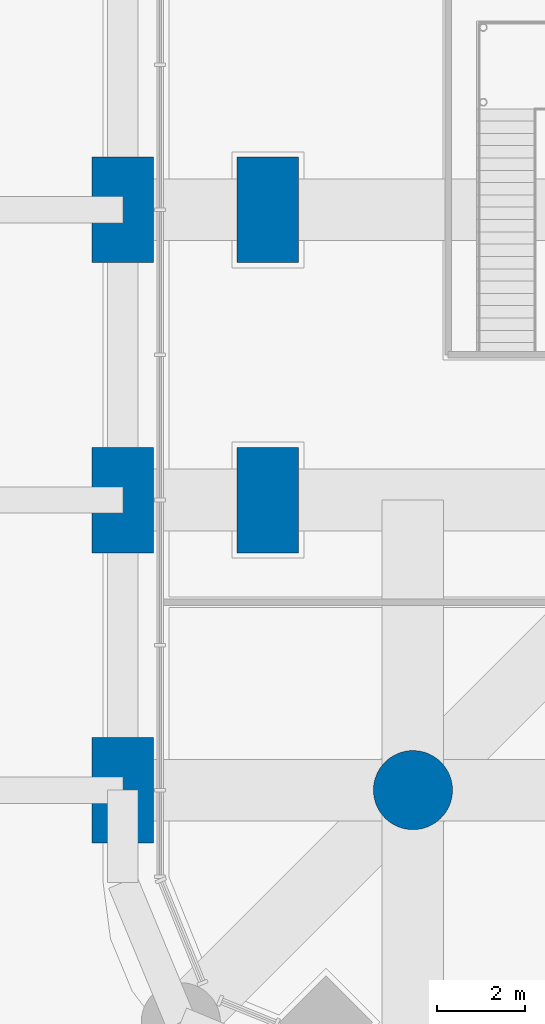
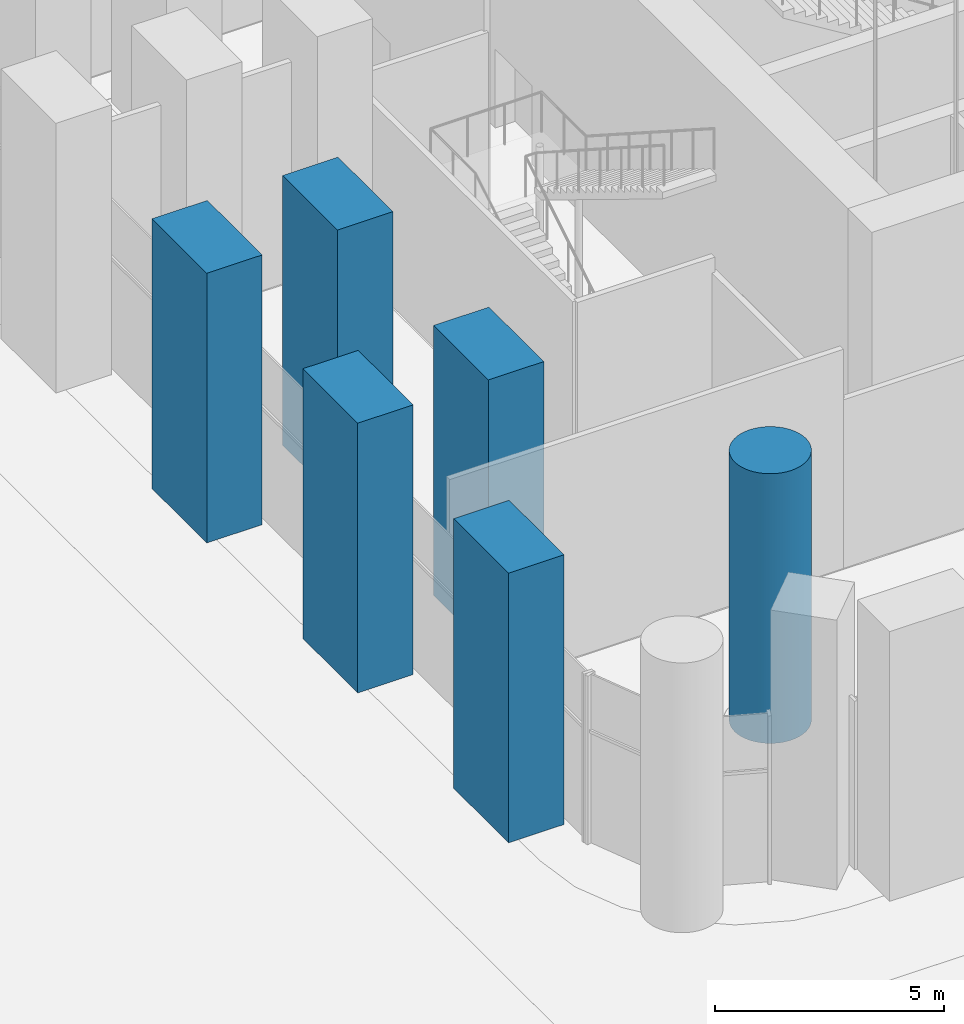
# One storey, part 3 of 32: 6 columns.
"""IFC4 building model written with IfcOpenShell, lengths in metres."""

from ifc_helpers import new_model, si_unit, direction, frame, origin, origin_2d, place, context, subcontext, project, spatial, rectangle, circle, extrude, material, material_profile, profile_set, type_object, element, save


model = new_model("IFC4")

# Units and contexts
model_context = context("Model", 3, precision=1e-05, world=origin(), true_north=direction((0.0, 1.0)))
body_context = subcontext(model_context, "Body", "Model", "MODEL_VIEW")
ifc_project = project(units=[si_unit("LENGTHUNIT", "METRE"), si_unit("AREAUNIT", "SQUARE_METRE"), si_unit("VOLUMEUNIT", "CUBIC_METRE"), si_unit("PLANEANGLEUNIT", "RADIAN"), si_unit("MASSUNIT", "GRAM", prefix="KILO")], contexts=[model_context])

# Site, building, storey
site_placement = place(None, origin())
site = spatial("IfcSite", under=ifc_project, at=site_placement, CompositionType="ELEMENT")
building_placement = place(site_placement, origin())
building = spatial("IfcBuilding", under=site, at=building_placement, Name="Cobogo Forest Laboratory Tower", CompositionType="ELEMENT")
storey_placement = place(building_placement, origin())
storey = spatial("IfcBuildingStorey", under=building, at=storey_placement, Name="L00", CompositionType="ELEMENT", Elevation=0.0)

# Columns
ifc_material = material(Name="Concrete HA-50 (C50/60)", Category="concrete")
ifc_material_profile_1 = material_profile(ifc_material, rectangle(XDim=2.39990234375, YDim=1.39990234375, at=origin_2d()), Name="RC 1400x2400")
ifc_profile_set_1 = profile_set([ifc_material_profile_1], Name="Concrete HA-50 (C50/60)")
column_type_1 = type_object("IfcColumnType", Name="Blade column 1400x2400", PredefinedType="COLUMN", material=ifc_profile_set_1)
for number, where, z_axis, x_axis, name in (
    (1, (0.0, 6.60009765625, 0.0), (0.0, 0.0, 1.0), (0.0, 1.0, 0.0), "Column 1-B L00"),
    (2, (0.0, 13.199951171875, 0.0), (0.0, 0.0, 1.0), (0.0, 1.0, 0.0), "Column 1-C L00"),
    (3, (0.0, 19.800048828125, 0.0), (0.0, 0.0, 1.0), (0.0, 1.0, 0.0), "Column 1-D L00"),
    (4, (3.300048828125, 13.199951171875, 0.0), (0.0, 0.0, 1.0), (0.0, 1.0, 0.0), "Column 1.1-C-B L00"),
    (5, (3.300048828125, 19.800048828125, 0.0), (0.0, 0.0, 1.0), (0.0, 1.0, 0.0), "Column 1.1-D-B L00"),
):
    element("IfcColumn", number, at=place(storey_placement, frame(where, z_axis=z_axis, x_axis=x_axis)), inside=storey, type_object=column_type_1, Name=name, PredefinedType="COLUMN", context=body_context, shape_type="SweptSolid", body=[
        extrude(rectangle(XDim=2.39990234375, YDim=1.39990234375, at=origin_2d()), origin(), (0.0, 0.0, 1.0), 7.199951171875),
    ])
ifc_material_profile_2 = material_profile(ifc_material, circle(Radius=0.89990234375, at=origin_2d()), Name="RC D1800")
ifc_profile_set_2 = profile_set([ifc_material_profile_2], Name="Concrete HA-50 (C50/60)")
column_type_2 = type_object("IfcColumnType", Name="Pilotis column D1800", PredefinedType="COLUMN", material=ifc_profile_set_2)
column_placement = place(storey_placement, frame((6.60009765625, 6.60009765625, 0.0), z_axis=(0.0, 0.0, 1.0), x_axis=(1.0, 0.0, 0.0)))
element("IfcColumn", 6, at=column_placement, inside=storey, type_object=column_type_2, Name="Column 2-B L00", PredefinedType="COLUMN", context=body_context, shape_type="SweptSolid", body=[
    extrude(circle(Radius=0.89990234375, at=origin_2d()), origin(), (0.0, 0.0, 1.0), 7.199951171875),
])

save(model, "model.ifc")
